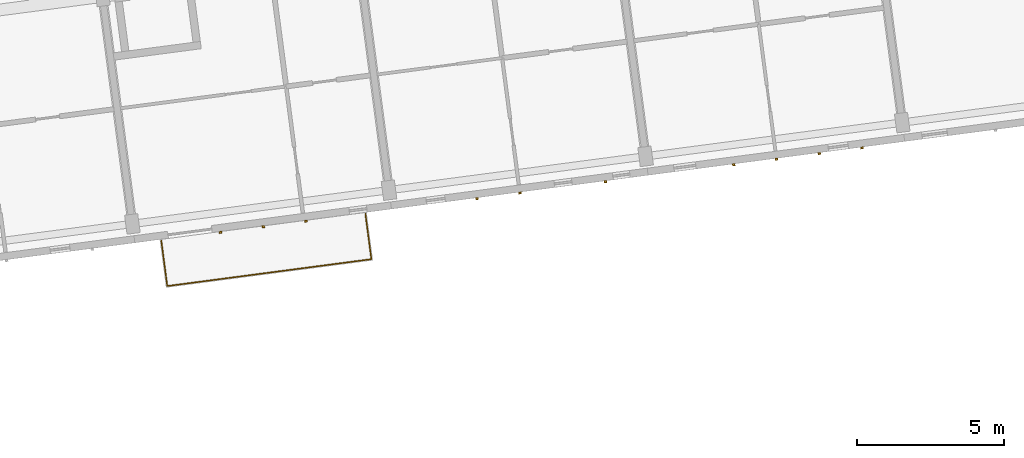
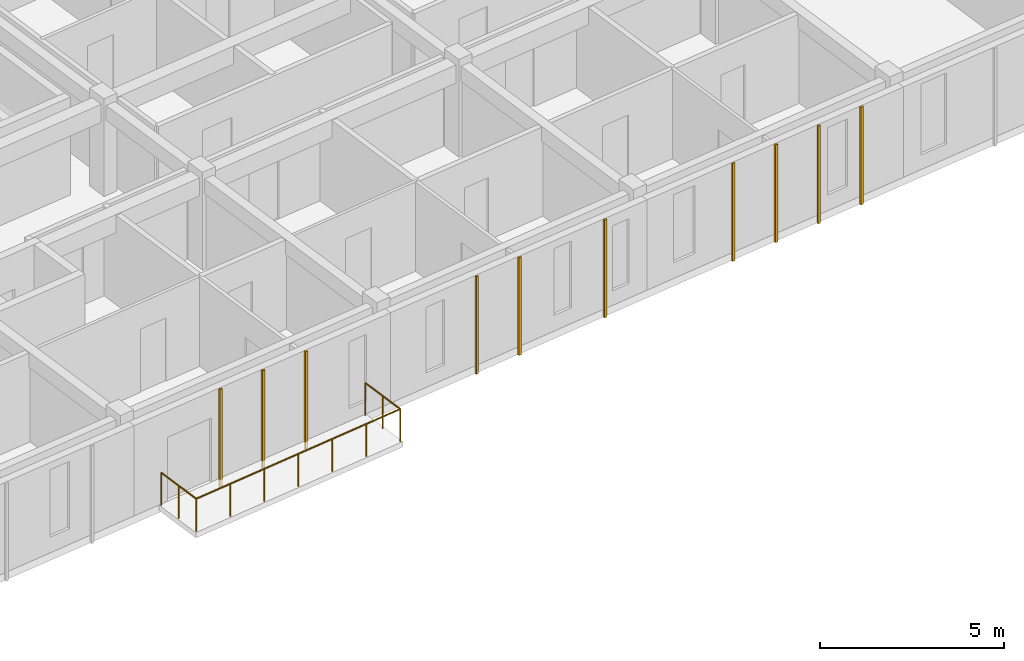
# One storey, part 22 of 34: 10 coverings, 1 railing.
"""IFC4 building model written with IfcOpenShell, lengths in metres."""

from ifc_helpers import new_model, si_unit, direction, frame, origin, origin_2d, place, context, subcontext, project, spatial, rectangle, circle, extrude, material, layer, layer_set, type_object, element, save


model = new_model("IFC4")

# Units and contexts
model_context = context("Model", 3, precision=1e-05, world=origin(), true_north=direction((0.0, 1.0)))
body_context = subcontext(model_context, "Body", "Model", "MODEL_VIEW")
ifc_project = project(units=[si_unit("LENGTHUNIT", "METRE"), si_unit("AREAUNIT", "SQUARE_METRE"), si_unit("VOLUMEUNIT", "CUBIC_METRE"), si_unit("PLANEANGLEUNIT", "RADIAN"), si_unit("MASSUNIT", "GRAM", prefix="KILO")], contexts=[model_context])

# Site, building, storey
site_placement = place(None, origin())
site = spatial("IfcSite", under=ifc_project, at=site_placement, CompositionType="ELEMENT")
building_placement = place(site_placement, origin())
building = spatial("IfcBuilding", under=site, at=building_placement, Name="Kestramere Prow Commons", CompositionType="ELEMENT")
storey_placement = place(building_placement, frame((0.0, 0.0, 34.39990234375)))
storey = spatial("IfcBuildingStorey", under=building, at=storey_placement, Name="L10", CompositionType="ELEMENT", Elevation=34.39990234375)

# Coverings
ifc_material_1 = material(Name="Weathered Zinc-Titanium Standing-Seam Cladding")
ifc_layer = layer(ifc_material_1, 0.074951171875)
ifc_layer_set = layer_set([ifc_layer], Name="Weathered Zinc-Titanium Standing-Seam Cladding")
covering_type = type_object("IfcCoveringType", Name="COV-CLAD-SEAM", PredefinedType="CLADDING", material=ifc_layer_set)
for number, where, z_axis, x_axis, name in (
    (1, (34.554443359375, 74.391357421875, -0.25), (0.0, 0.0, 1.0), (-0.991444861374, -0.13052619222, 0.0), "EW-A-L10-S-2 Standing-Seam Rib 2"),
    (2, (33.100341796875, 74.199951171875, -0.25), (0.0, 0.0, 1.0), (-0.991444861374, -0.13052619222, 0.0), "EW-A-L10-S-2 Standing-Seam Rib 3"),
    (3, (31.64599609375, 74.008544921875, -0.25), (0.0, 0.0, 1.0), (-0.991444861374, -0.13052619222, 0.0), "EW-A-L10-S-2 Standing-Seam Rib 4"),
    (4, (44.733154296875, 75.7314453125, -0.25), (0.0, 0.0, 1.0), (-0.991444861374, -0.13052619222, 0.0), "EW-A-L10-S-3 Standing-Seam Rib 1"),
    (5, (41.824951171875, 75.348388671875, -0.25), (0.0, 0.0, 1.0), (-0.991444861374, -0.13052619222, 0.0), "EW-A-L10-S-3 Standing-Seam Rib 3"),
    (6, (40.370849609375, 75.156982421875, -0.25), (0.0, 0.0, 1.0), (-0.991444861374, -0.13052619222, 0.0), "EW-A-L10-S-3 Standing-Seam Rib 4"),
    (7, (53.4580078125, 76.880126953125, -0.25), (0.0, 0.0, 1.0), (-0.991444861374, -0.13052619222, 0.0), "EW-A-L10-S-4 Standing-Seam Rib 1"),
    (8, (52.003662109375, 76.6884765625, -0.25), (0.0, 0.0, 1.0), (-0.991444861374, -0.13052619222, 0.0), "EW-A-L10-S-4 Standing-Seam Rib 2"),
    (9, (50.549560546875, 76.4970703125, -0.25), (0.0, 0.0, 1.0), (-0.991444861374, -0.13052619222, 0.0), "EW-A-L10-S-4 Standing-Seam Rib 3"),
    (10, (49.095458984375, 76.3056640625, -0.25), (0.0, 0.0, 1.0), (-0.991444861374, -0.13052619222, 0.0), "EW-A-L10-S-4 Standing-Seam Rib 4"),
):
    element("IfcCovering", number, at=place(storey_placement, frame(where, z_axis=z_axis, x_axis=x_axis)), inside=storey, type_object=covering_type, Name=name, PredefinedType="CLADDING", context=body_context, shape_type="SweptSolid", body=[
        extrude(rectangle(XDim=0.0849609375, YDim=0.06494140625, at=origin_2d()), origin(), (0.0, 0.0, 1.0), 3.25),
    ])

# Railing
ifc_material_2 = material(Name="Powder-Coated Aluminium 6063-T6", Category="aluminium")
railing_type = type_object("IfcRailingType", Name="GRD-BALC-1100", PredefinedType="BALUSTRADE", material=ifc_material_2)
railing_placement = place(storey_placement, frame((29.6318359375, 73.730712890625, 0.0)))
element("IfcRailing", 11, at=railing_placement, inside=storey, type_object=railing_type, Name="Block A L10 Balcony Guardrail 3", PredefinedType="BALUSTRADE", context=body_context, shape_type="SweptSolid", body=[
    extrude(circle(Radius=0.02392578125, at=origin_2d()), frame((0.0, 0.0, 1.076171875), z_axis=(0.130523335136, -0.991445237512, 0.0), x_axis=(0.991445237512, 0.130523335136, 0.0)), (0.0, 0.0, 1.0), 1.56005859375),
    extrude(circle(Radius=0.02392578125, at=origin_2d()), frame((0.20361328125, -1.546630859375, 1.076171875), z_axis=(0.991447052715, 0.13050954625, 0.0), x_axis=(-0.13050954625, 0.991447052715, 0.0)), (0.0, 0.0, 1.0), 7.0),
    extrude(circle(Radius=0.02392578125, at=origin_2d()), frame((7.143798828125, -0.633056640625, 1.076171875), z_axis=(-0.130523335136, 0.991445237512, 0.0), x_axis=(-0.991445237512, -0.130523335136, 0.0)), (0.0, 0.0, 1.0), 1.56005859375),
    extrude(circle(Radius=0.02099609375, at=origin_2d()), origin(), (0.0, 0.0, 1.0), 1.052001953125),
    extrude(circle(Radius=0.02099609375, at=origin_2d()), frame((0.101806640625, -0.7734375, 0.0)), (0.0, 0.0, 1.0), 1.052001953125),
    extrude(circle(Radius=0.02099609375, at=origin_2d()), frame((0.20361328125, -1.546630859375, 0.0)), (0.0, 0.0, 1.0), 1.052001953125),
    extrude(circle(Radius=0.02099609375, at=origin_2d()), frame((1.3603515625, -1.394287109375, 0.0)), (0.0, 0.0, 1.0), 1.052001953125),
    extrude(circle(Radius=0.02099609375, at=origin_2d()), frame((2.51708984375, -1.2421875, 0.0)), (0.0, 0.0, 1.0), 1.052001953125),
    extrude(circle(Radius=0.02099609375, at=origin_2d()), frame((3.673828125, -1.08984375, 0.0)), (0.0, 0.0, 1.0), 1.052001953125),
    extrude(circle(Radius=0.02099609375, at=origin_2d()), frame((4.830322265625, -0.9375, 0.0)), (0.0, 0.0, 1.0), 1.052001953125),
    extrude(circle(Radius=0.02099609375, at=origin_2d()), frame((5.987060546875, -0.785400390625, 0.0)), (0.0, 0.0, 1.0), 1.052001953125),
    extrude(circle(Radius=0.02099609375, at=origin_2d()), frame((7.143798828125, -0.633056640625, 0.0)), (0.0, 0.0, 1.0), 1.052001953125),
    extrude(circle(Radius=0.02099609375, at=origin_2d()), frame((7.0419921875, 0.14013671875, 0.0)), (0.0, 0.0, 1.0), 1.052001953125),
    extrude(circle(Radius=0.02099609375, at=origin_2d()), frame((6.940185546875, 0.91357421875, 0.0)), (0.0, 0.0, 1.0), 1.052001953125),
])

save(model, "model.ifc")
